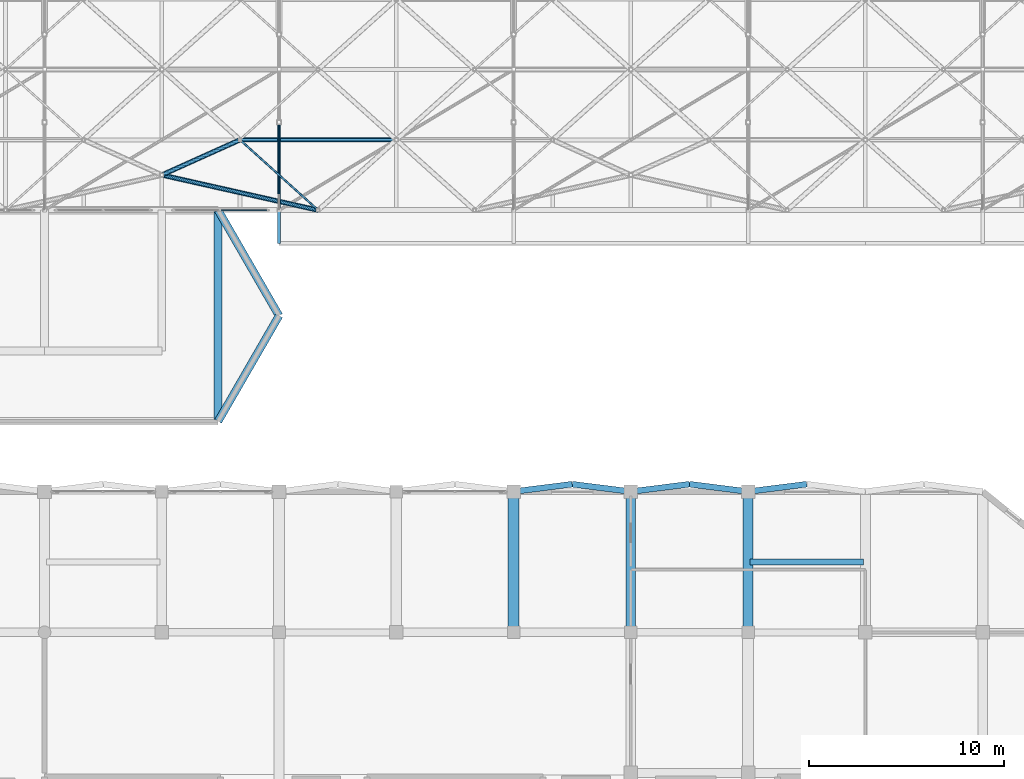
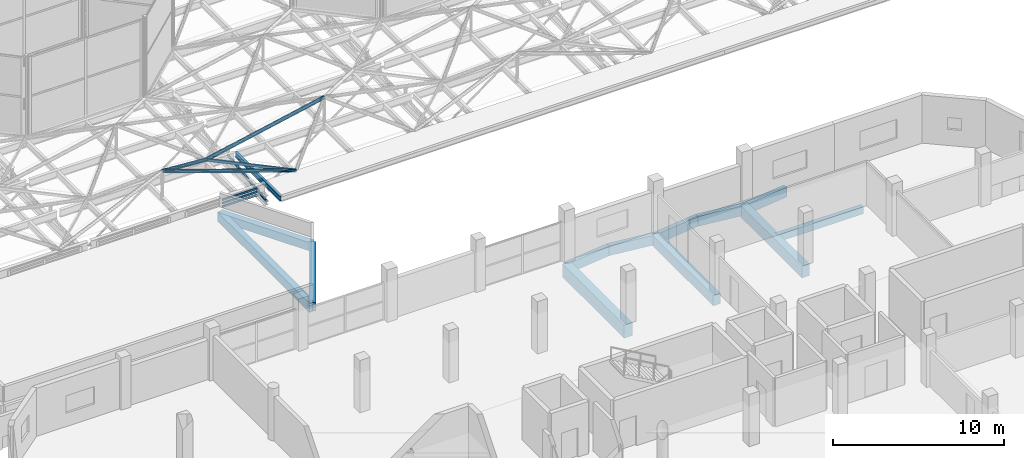
# One storey, part 17 of 239: 14 beams, 7 members, 1 element without a shape of its own.
"""IFC4 building model written with IfcOpenShell, lengths in metres."""

import ifcopenshell
import ifcopenshell.guid

model = None  # the IFC model being written
_history = None  # IfcOwnerHistory: only IFC2X3 demands one
_inside = {}  # id of a spatial element -> (the spatial element, [elements in it])
_under = {}  # id of a project, library or spatial element -> (it, [spatial elements below it])
_declared = {}  # id of a project -> (the project, [libraries it declares])
_typed = {}  # id of a type object -> (the type object, [elements of that type])
_made_of = {}  # id of a material, layer set ... -> (it, [elements and type objects made of it])


def new_model(schema):
    """Start an empty IFC model of exactly this schema.

    Asked for "IFC4X3", IfcOpenShell would pick the latest addendum, in which some entities
    have other attributes; the version numbers below select the first issue.
    IFC2X3 requires an IfcOwnerHistory on every rooted entity: one is made here for all.
    """
    global model, _history
    if schema == "IFC4X3":
        model = ifcopenshell.file(schema_version=(4, 3, 0, 0))
    else:
        model = ifcopenshell.file(schema=schema)
    _inside.clear()
    _under.clear()
    _declared.clear()
    _typed.clear()
    _made_of.clear()
    _history = None
    if model.schema == "IFC2X3":
        org = make("IfcOrganization", Name="unknown")
        user = make(
            "IfcPersonAndOrganization",
            ThePerson=make("IfcPerson", FamilyName="unknown"),
            TheOrganization=org,
        )
        app = make(
            "IfcApplication",
            ApplicationDeveloper=org,
            Version="unknown",
            ApplicationFullName="unknown",
            ApplicationIdentifier="unknown",
        )
        _history = make(
            "IfcOwnerHistory",
            OwningUser=user,
            OwningApplication=app,
            ChangeAction="ADDED",
            CreationDate=0,
        )
    return model


def make(cls, **values):
    """One entity of the class cls with the attributes given. An attribute that is None is left unset."""
    return model.create_entity(
        cls, **{name: value for name, value in values.items() if value is not None}
    )


def rooted(cls, **values):
    """An entity with a GlobalId (a new one), such as an element, a storey or a relation."""
    return make(cls, GlobalId=ifcopenshell.guid.new(), OwnerHistory=_history, **values)


def si_unit(unit_type, name, prefix=None):
    """IfcSIUnit, for example si_unit("LENGTHUNIT", "METRE", prefix="MILLI")."""
    return make("IfcSIUnit", UnitType=unit_type, Prefix=prefix, Name=name)


def assignment(units):
    """IfcUnitAssignment: the units of a project."""
    return None if units is None else make("IfcUnitAssignment", Units=units)


def point(xyz):
    """IfcCartesianPoint."""
    return None if xyz is None else make("IfcCartesianPoint", Coordinates=xyz)


def direction(xyz):
    """IfcDirection."""
    return None if xyz is None else make("IfcDirection", DirectionRatios=xyz)


def frame(location, z_axis=None, x_axis=None):
    """IfcAxis2Placement3D, a coordinate frame: its origin and axes. An axis left out is left unset."""
    return make(
        "IfcAxis2Placement3D",
        Location=point(location),
        Axis=direction(z_axis),
        RefDirection=direction(x_axis),
    )


def frame_2d(location, x_axis=None):
    """IfcAxis2Placement2D, a coordinate frame in the plane: its origin and x axis."""
    return make(
        "IfcAxis2Placement2D", Location=point(location), RefDirection=direction(x_axis)
    )


def origin():
    """The frame at (0, 0, 0) with its axes left unset."""
    return frame((0.0, 0.0, 0.0))


def origin_2d():
    """The frame at (0, 0) in the plane with its x axis left unset."""
    return frame_2d((0.0, 0.0))


def place(relative_to, where):
    """IfcLocalPlacement: puts the frame where relative to a parent placement (None: the world)."""
    return make(
        "IfcLocalPlacement", PlacementRelTo=relative_to, RelativePlacement=where
    )


def context(
    kind, dimensions, precision=None, world=None, true_north=None, identifier=None
):
    """IfcGeometricRepresentationContext, for example the 3D "Model" context."""
    return make(
        "IfcGeometricRepresentationContext",
        ContextIdentifier=identifier,
        ContextType=kind,
        CoordinateSpaceDimension=dimensions,
        Precision=precision,
        WorldCoordinateSystem=world,
        TrueNorth=true_north,
    )


def subcontext(parent, identifier, kind, view, scale=None):
    """IfcGeometricRepresentationSubContext, for example "Body" below "Model"."""
    return make(
        "IfcGeometricRepresentationSubContext",
        ContextIdentifier=identifier,
        ContextType=kind,
        ParentContext=parent,
        TargetScale=scale,
        TargetView=view,
    )


def project(units=None, contexts=None):
    """IfcProject with its units and contexts."""
    return rooted(
        "IfcProject",
        Name="project",
        RepresentationContexts=contexts,
        UnitsInContext=assignment(units),
    )


def spatial(cls, under=None, at=None, **own):
    """A site, building, storey or space (cls), placed at a placement, below another one or the project."""
    s = rooted(cls, ObjectPlacement=at, **own)
    if under is not None:
        _under.setdefault(under.id(), (under, []))[1].append(s)
    return s


def profile(cls, at=None, kind="AREA", **sizes):
    """A parametric profile (cls). Its sizes go by their IFC names, for example OverallWidth=200.0."""
    return make(cls, ProfileType=kind, Position=at, **sizes)


def rectangle(**sizes):
    """IfcRectangleProfileDef."""
    return profile("IfcRectangleProfileDef", **sizes)


def hollow_rectangle(**sizes):
    """IfcRectangleHollowProfileDef."""
    return profile("IfcRectangleHollowProfileDef", **sizes)


def hollow_circle(**sizes):
    """IfcCircleHollowProfileDef."""
    return profile("IfcCircleHollowProfileDef", **sizes)


def i_section(**sizes):
    """IfcIShapeProfileDef."""
    return profile("IfcIShapeProfileDef", **sizes)


def extrude(swept, where, along, depth):
    """IfcExtrudedAreaSolid: the profile swept, set in the frame where, extruded along a direction by depth."""
    return make(
        "IfcExtrudedAreaSolid",
        SweptArea=swept,
        Position=where,
        ExtrudedDirection=direction(along),
        Depth=depth,
    )


def shape(context_of_items, identifier, shape_type, items):
    """IfcShapeRepresentation: the items that make up one representation, for example the "Body"."""
    return make(
        "IfcShapeRepresentation",
        ContextOfItems=context_of_items,
        RepresentationIdentifier=identifier,
        RepresentationType=shape_type,
        Items=items,
    )


def material(Name=None, Category=None):
    """IfcMaterial."""
    return make("IfcMaterial", Name=Name, Category=Category)


def layer(
    of_material, thickness, ventilated=None, Name=None, Category=None, Priority=None
):
    """IfcMaterialLayer: one layer of a wall or slab, of a material (None: an air gap)."""
    return make(
        "IfcMaterialLayer",
        Material=of_material,
        LayerThickness=thickness,
        IsVentilated=ventilated,
        Name=Name,
        Category=Category,
        Priority=Priority,
    )


def layer_set(layers, Name=None):
    """IfcMaterialLayerSet."""
    return make("IfcMaterialLayerSet", MaterialLayers=layers, LayerSetName=Name)


def material_profile(
    of_material, cross_section, Name=None, Category=None, Priority=None
):
    """IfcMaterialProfile: a cross section and its material."""
    return make(
        "IfcMaterialProfile",
        Name=Name,
        Material=of_material,
        Profile=cross_section,
        Priority=Priority,
        Category=Category,
    )


def profile_set(profiles, Name=None, composite=None):
    """IfcMaterialProfileSet."""
    return make(
        "IfcMaterialProfileSet",
        Name=Name,
        MaterialProfiles=profiles,
        CompositeProfile=composite,
    )


def made_of(thing, what):
    """Note that an element or type object is made of a material, layer set ...; save() writes the relation."""
    if what is not None:
        _made_of.setdefault(what.id(), (what, []))[1].append(thing)
    return thing


def type_object(cls, material=None, **own):
    """A type object (cls), such as IfcWallType, which elements share."""
    return made_of(rooted(cls, **own), material)


def element(
    cls,
    number,
    at=None,
    inside=None,
    cuts=None,
    type_object=None,
    material=None,
    context=None,
    identifier="Body",
    shape_type=None,
    held_by="IfcProductDefinitionShape",
    body=None,
    shapes=None,
    **own,
):
    """One element of the class cls, such as IfcWall. Its Tag is "e" and its number.

    at: its placement. inside: the storey or other place that contains it. cuts: it is an
    opening in that element (IfcRelVoidsElement). A single representation is given by context,
    identifier, shape_type and body (its items); several are given by shapes. held_by: the class
    of the entity that holds the representations. save() writes the other relations.
    """
    e = rooted(cls, Tag="e%d" % number, ObjectPlacement=at, **own)
    if body is not None:
        shapes = [shape(context, identifier, shape_type, body)]
    if shapes is not None:
        e.Representation = make(held_by, Representations=shapes)
    if inside is not None:
        _inside.setdefault(inside.id(), (inside, []))[1].append(e)
    if cuts is not None:
        rooted(
            "IfcRelVoidsElement", RelatingBuildingElement=cuts, RelatedOpeningElement=e
        )
    if type_object is not None:
        _typed.setdefault(type_object.id(), (type_object, []))[1].append(e)
    return made_of(e, material)


def aggregate(whole, parts):
    """IfcRelAggregates: a whole, such as a stair, and the parts it consists of."""
    return rooted("IfcRelAggregates", RelatingObject=whole, RelatedObjects=parts)


def save(model, path):
    """Write the relations noted so far, then the file.

    IfcRelAggregates (storeys below a building ...), IfcRelContainedInSpatialStructure (elements
    in a storey), IfcRelDefinesByType, IfcRelAssociatesMaterial and IfcRelDeclares: one each for
    every whole, place, type object, material and project.
    """
    for whole, parts in _under.values():
        aggregate(whole, parts)
    for where, things in _inside.values():
        rooted(
            "IfcRelContainedInSpatialStructure",
            RelatedElements=things,
            RelatingStructure=where,
        )
    for kind, things in _typed.values():
        rooted("IfcRelDefinesByType", RelatedObjects=things, RelatingType=kind)
    for what, things in _made_of.values():
        rooted("IfcRelAssociatesMaterial", RelatedObjects=things, RelatingMaterial=what)
    for by, libraries in _declared.values():
        rooted("IfcRelDeclares", RelatingContext=by, RelatedDefinitions=libraries)
    model.write(path)


model = new_model("IFC4")

# Units and contexts
model_context = context("Model", 3, precision=1e-05, world=origin(), true_north=direction((0.0, 1.0)))
body_context = subcontext(model_context, "Body", "Model", "MODEL_VIEW")
ifc_project = project(units=[si_unit("LENGTHUNIT", "METRE"), si_unit("AREAUNIT", "SQUARE_METRE"), si_unit("VOLUMEUNIT", "CUBIC_METRE"), si_unit("PLANEANGLEUNIT", "RADIAN"), si_unit("MASSUNIT", "GRAM", prefix="KILO")], contexts=[model_context])

# Site, building, storey
site_placement = place(None, origin())
site = spatial("IfcSite", under=ifc_project, at=site_placement, CompositionType="ELEMENT")
building_placement = place(site_placement, origin())
building = spatial("IfcBuilding", under=site, at=building_placement, Name="Dunvalen Ferry Terminal", CompositionType="ELEMENT")
storey_placement = place(building_placement, frame((0.0, 0.0, 9.840087890625)))
storey = spatial("IfcBuildingStorey", under=building, at=storey_placement, Name="L02", CompositionType="ELEMENT", Elevation=9.840087890625)

# Curtain wall, members
ifc_material_1 = material(Name="Anodised marine aluminium and solar-control glazing", Category="aluminium")
ifc_layer = layer(ifc_material_1, 0.219970703125, Name="Anodised marine aluminium and solar-control glazing")
ifc_layer_set = layer_set([ifc_layer], Name="Anodised marine aluminium and solar-control glazing")
curtain_wall_type = type_object("IfcCurtainWallType", Name="ENV-CW-SYS-02", PredefinedType="NOTDEFINED", material=ifc_layer_set)
curtain_wall_placement = place(storey_placement, origin())
curtain_wall = element("IfcCurtainWall", 1, at=curtain_wall_placement, inside=storey, type_object=curtain_wall_type, Name="L02 Curtain Wall CW-V1SW-CLR-04", PredefinedType="NOTDEFINED")
ifc_material_2 = material(Name="Anodised marine aluminium EN AW-6063 T6", Category="aluminium")
ifc_material_profile_1 = material_profile(ifc_material_2, hollow_rectangle(XDim=0.06005859375, YDim=0.135009765625, WallThickness=0.003173828125, InnerFilletRadius=0.003173828125, OuterFilletRadius=0.00634765625, at=origin_2d()), Name="Anodised marine aluminium EN AW-6063 T6")
ifc_profile_set_1 = profile_set([ifc_material_profile_1], Name="Anodised marine aluminium EN AW-6063 T6")
member_type_1 = type_object("IfcMemberType", Name="ENV-CW-TRN-2", PredefinedType="USERDEFINED", material=ifc_profile_set_1)
member_1_placement = place(storey_placement, frame((33.030029296875, 50.39990234375, 0.27001953125), z_axis=(1.0, 0.0, 0.0), x_axis=(0.0, 1.0, 0.0)))
member_1 = element("IfcMember", 2, at=member_1_placement, type_object=member_type_1, Name="CW-02 transom 2.1", ObjectType="TRANSOM", PredefinedType="USERDEFINED", context=body_context, shape_type="SweptSolid", body=[
    extrude(hollow_rectangle(XDim=0.06005859375, YDim=0.135009765625, WallThickness=0.003173828125, InnerFilletRadius=0.003173828125, OuterFilletRadius=0.00634765625, at=origin_2d()), origin(), (0.0, 0.0, 1.0), 2.349853515625),
])
member_2_placement = place(storey_placement, frame((33.030029296875, 50.39990234375, 0.510009765625), z_axis=(1.0, 0.0, 0.0), x_axis=(0.0, 1.0, 0.0)))
member_2 = element("IfcMember", 3, at=member_2_placement, type_object=member_type_1, Name="CW-02 transom 2.2", ObjectType="TRANSOM", PredefinedType="USERDEFINED", context=body_context, shape_type="SweptSolid", body=[
    extrude(hollow_rectangle(XDim=0.06005859375, YDim=0.135009765625, WallThickness=0.003173828125, InnerFilletRadius=0.003173828125, OuterFilletRadius=0.00634765625, at=origin_2d()), origin(), (0.0, 0.0, 1.0), 2.349853515625),
])
member_3_placement = place(storey_placement, frame((33.030029296875, 50.39990234375, 0.75), z_axis=(1.0, 0.0, 0.0), x_axis=(0.0, 1.0, 0.0)))
member_3 = element("IfcMember", 4, at=member_3_placement, type_object=member_type_1, Name="CW-02 transom 2.3", ObjectType="TRANSOM", PredefinedType="USERDEFINED", context=body_context, shape_type="SweptSolid", body=[
    extrude(hollow_rectangle(XDim=0.06005859375, YDim=0.135009765625, WallThickness=0.003173828125, InnerFilletRadius=0.003173828125, OuterFilletRadius=0.00634765625, at=origin_2d()), origin(), (0.0, 0.0, 1.0), 2.349853515625),
])
aggregate(curtain_wall, [member_1, member_2, member_3])

# Beams
ifc_material_3 = material(Name="Steel S355", Category="steel")
ifc_material_profile_2 = material_profile(ifc_material_3, i_section(OverallWidth=0.169921875, OverallDepth=0.360107421875, WebThickness=0.008056640625, FlangeThickness=0.0126953125, FilletRadius=0.01806640625, at=origin_2d()), Name="Steel S355")
ifc_profile_set_2 = profile_set([ifc_material_profile_2], Name="Steel S355")
beam_type_1 = type_object("IfcBeamType", Name="STR-BM-IPE360", PredefinedType="BEAM", material=ifc_profile_set_2)
beam_1_placement = place(storey_placement, frame((36.0, 54.0, 0.81982421875), z_axis=(0.0, -1.0, 0.0), x_axis=(1.0, 0.0, 0.0)))
element("IfcBeam", 5, at=beam_1_placement, inside=storey, type_object=beam_type_1, Name="Departure Hall South Eave Outrigger 05", PredefinedType="BEAM", context=body_context, shape_type="SweptSolid", body=[
    extrude(i_section(OverallWidth=0.169921875, OverallDepth=0.360107421875, WebThickness=0.008056640625, FlangeThickness=0.0126953125, FilletRadius=0.01806640625, at=origin_2d()), origin(), (0.0, 0.0, 1.0), 5.300048828125),
])
ifc_material_4 = material(Name="Concrete C35/45", Category="concrete")
ifc_material_profile_3 = material_profile(ifc_material_4, rectangle(XDim=0.300048828125, YDim=0.5, at=origin_2d()), Name="Concrete C35/45")
ifc_profile_set_3 = profile_set([ifc_material_profile_3], Name="Concrete C35/45")
beam_type_2 = type_object("IfcBeamType", Name="STR-BM-RCB500", PredefinedType="JOIST", material=ifc_profile_set_3)
beam_2_placement = place(storey_placement, frame((60.10009765625, 32.39990234375, -0.510009765625), z_axis=(1.0, 0.0, 0.0), x_axis=(0.0, 1.0, 0.0)))
element("IfcBeam", 6, at=beam_2_placement, inside=storey, type_object=beam_type_2, Name="L02 V5P0 Secondary Joist 005", PredefinedType="JOIST", context=body_context, shape_type="SweptSolid", body=[
    extrude(rectangle(XDim=0.300048828125, YDim=0.5, at=origin_2d()), origin(), (0.0, 0.0, 1.0), 5.7998046875),
])
ifc_material_profile_4 = material_profile(ifc_material_4, rectangle(XDim=0.39990234375, YDim=0.60009765625, at=origin_2d()), Name="Concrete C35/45")
ifc_profile_set_4 = profile_set([ifc_material_profile_4], Name="Concrete C35/45")
beam_type_3 = type_object("IfcBeamType", Name="STR-BM-RCB600", PredefinedType="BEAM", material=ifc_profile_set_4)
for number, where, z_axis, x_axis, name in (
    (7, (32.882080078125, 39.60009765625, -0.300048828125), (0.500034261589, 0.866005621943, 0.0), (-0.866005621943, 0.500034261589, 0.0), "L02 South-West Security Annex Ring Beam 02"),
    (8, (36.0, 45.0, -0.300048828125), (-0.500034261589, 0.866005621943, 0.0), (-0.866005621943, -0.500034261589, 0.0), "L02 South-West Security Annex Ring Beam 03"),
):
    element("IfcBeam", number, at=place(storey_placement, frame(where, z_axis=z_axis, x_axis=x_axis)), inside=storey, type_object=beam_type_3, Name=name, PredefinedType="BEAM", context=body_context, shape_type="SweptSolid", body=[
        extrude(rectangle(XDim=0.39990234375, YDim=0.60009765625, at=origin_2d()), origin(), (0.0, 0.0, 1.0), 6.2353515625),
    ])
ifc_material_5 = material(Name="Concrete C40/50", Category="concrete")
ifc_material_profile_5 = material_profile(ifc_material_5, rectangle(XDim=0.39990234375, YDim=0.64990234375, at=origin_2d()), Name="Concrete C40/50")
ifc_profile_set_5 = profile_set([ifc_material_profile_5], Name="Concrete C40/50")
beam_type_4 = type_object("IfcBeamType", Name="STR-BM-RCB650", PredefinedType="BEAM", material=ifc_profile_set_5)
beam_3_placement = place(storey_placement, frame((32.882080078125, 39.60009765625, -0.3251953125), z_axis=(0.0, 1.0, 0.0), x_axis=(-1.0, 0.0, 0.0)))
element("IfcBeam", 9, at=beam_3_placement, inside=storey, type_object=beam_type_4, Name="L02 V1ASW Primary Girder Y-013", PredefinedType="BEAM", context=body_context, shape_type="SweptSolid", body=[
    extrude(rectangle(XDim=0.39990234375, YDim=0.64990234375, at=origin_2d()), origin(), (0.0, 0.0, 1.0), 10.7998046875),
])
ifc_material_profile_6 = material_profile(ifc_material_5, rectangle(XDim=0.5, YDim=0.75, at=origin_2d()), Name="Concrete C40/50")
ifc_profile_set_6 = profile_set([ifc_material_profile_6], Name="Concrete C40/50")
beam_type_5 = type_object("IfcBeamType", Name="STR-BM-RCB750", PredefinedType="BEAM", material=ifc_profile_set_6)
beam_4_placement = place(storey_placement, frame((54.0, 28.800048828125, -0.635009765625), z_axis=(0.0, 1.0, 0.0), x_axis=(-1.0, 0.0, 0.0)))
element("IfcBeam", 10, at=beam_4_placement, inside=storey, type_object=beam_type_5, Name="L02 V5P0 Primary Girder Y-083", PredefinedType="BEAM", context=body_context, shape_type="SweptSolid", body=[
    extrude(rectangle(XDim=0.5, YDim=0.75, at=origin_2d()), origin(), (0.0, 0.0, 1.0), 7.199951171875),
])
ifc_material_profile_7 = material_profile(ifc_material_5, rectangle(XDim=0.5, YDim=0.85009765625, at=origin_2d()), Name="Concrete C40/50")
ifc_profile_set_7 = profile_set([ifc_material_profile_7], Name="Concrete C40/50")
beam_type_6 = type_object("IfcBeamType", Name="STR-BM-RCG850", PredefinedType="BEAM", material=ifc_profile_set_7)
beam_5_placement = place(storey_placement, frame((60.0, 28.800048828125, -0.68505859375), z_axis=(0.0, 1.0, 0.0), x_axis=(-1.0, 0.0, 0.0)))
element("IfcBeam", 11, at=beam_5_placement, inside=storey, type_object=beam_type_6, Name="L02 V5P0 Primary Girder Y-088", PredefinedType="BEAM", context=body_context, shape_type="SweptSolid", body=[
    extrude(rectangle(XDim=0.5, YDim=0.85009765625, at=origin_2d()), origin(), (0.0, 0.0, 1.0), 7.199951171875),
])
ifc_material_profile_8 = material_profile(ifc_material_5, rectangle(XDim=0.550048828125, YDim=0.949951171875, at=origin_2d()), Name="Concrete C40/50")
ifc_profile_set_8 = profile_set([ifc_material_profile_8], Name="Concrete C40/50")
beam_type_7 = type_object("IfcBeamType", Name="STR-BM-RCG950", PredefinedType="BEAM", material=ifc_profile_set_8)
beam_6_placement = place(storey_placement, frame((48.0, 28.800048828125, -0.735107421875), z_axis=(0.0, 1.0, 0.0), x_axis=(-1.0, 0.0, 0.0)))
element("IfcBeam", 12, at=beam_6_placement, inside=storey, type_object=beam_type_7, Name="L02 V5P0 Primary Girder Y-078", PredefinedType="BEAM", context=body_context, shape_type="SweptSolid", body=[
    extrude(rectangle(XDim=0.550048828125, YDim=0.949951171875, at=origin_2d()), origin(), (0.0, 0.0, 1.0), 7.199951171875),
])
ifc_material_profile_9 = material_profile(ifc_material_5, rectangle(XDim=0.300048828125, YDim=0.699951171875, at=origin_2d()), Name="Concrete C40/50")
ifc_profile_set_9 = profile_set([ifc_material_profile_9], Name="Concrete C40/50")
beam_type_8 = type_object("IfcBeamType", Name="STR-BM-RCSP700", PredefinedType="SPANDREL", material=ifc_profile_set_9)
for number, where, z_axis, x_axis, name in (
    (13, (48.0, 36.0, -0.610107421875), (0.992077869489, 0.12562444376, 0.0), (-0.12562444376, 0.992077869489, 0.0), "L02 Passage Pilaster Spandrel Tie 07.1"),
    (14, (51.0, 36.3798828125, -0.610107421875), (0.992077869489, -0.12562444376, 0.0), (0.12562444376, 0.992077869489, 0.0), "L02 Passage Pilaster Spandrel Tie 07.2"),
    (15, (54.0, 36.0, -0.610107421875), (0.992077869489, 0.12562444376, 0.0), (-0.12562444376, 0.992077869489, 0.0), "L02 Passage Pilaster Spandrel Tie 08.1"),
    (16, (57.0, 36.3798828125, -0.610107421875), (0.992077869489, -0.12562444376, 0.0), (0.12562444376, 0.992077869489, 0.0), "L02 Passage Pilaster Spandrel Tie 08.2"),
    (17, (60.0, 36.0, -0.610107421875), (0.992077869489, 0.12562444376, 0.0), (-0.12562444376, 0.992077869489, 0.0), "L02 Passage Pilaster Spandrel Tie 09.1"),
):
    element("IfcBeam", number, at=place(storey_placement, frame(where, z_axis=z_axis, x_axis=x_axis)), inside=storey, type_object=beam_type_8, Name=name, PredefinedType="SPANDREL", context=body_context, shape_type="SweptSolid", body=[
        extrude(rectangle(XDim=0.300048828125, YDim=0.699951171875, at=origin_2d()), origin(), (0.0, 0.0, 1.0), 3.02392578125),
    ])
ifc_material_profile_10 = material_profile(ifc_material_3, hollow_rectangle(XDim=0.10009765625, YDim=0.199951171875, WallThickness=0.008056640625, InnerFilletRadius=0.008056640625, OuterFilletRadius=0.01611328125, at=origin_2d()), Name="Steel S355")
ifc_profile_set_10 = profile_set([ifc_material_profile_10], Name="Steel S355")
beam_type_9 = type_object("IfcBeamType", Name="STR-BM-RHS200", PredefinedType="BEAM", material=ifc_profile_set_10)
beam_7_placement = place(storey_placement, frame((38.0, 50.39990234375, 1.099853515625), z_axis=(-0.743285123004, 0.668974757313, 0.0), x_axis=(-0.668974757313, -0.743285123004, 0.0)))
element("IfcBeam", 18, at=beam_7_placement, inside=storey, type_object=beam_type_9, Name="HEX-12 Hexagonal Rim Beam 2", PredefinedType="BEAM", context=body_context, shape_type="SweptSolid", body=[
    extrude(hollow_rectangle(XDim=0.10009765625, YDim=0.199951171875, WallThickness=0.008056640625, InnerFilletRadius=0.008056640625, OuterFilletRadius=0.01611328125, at=origin_2d()), origin(), (0.0, 0.0, 1.0), 5.381591796875),
])

# Members
ifc_material_profile_11 = material_profile(ifc_material_3, hollow_circle(Radius=0.084228515625, WallThickness=0.008056640625, at=origin_2d()), Name="Steel S355")
ifc_profile_set_11 = profile_set([ifc_material_profile_11], Name="Steel S355")
member_type_2 = type_object("IfcMemberType", Name="STR-MB-CHS168", PredefinedType="BRACE", material=ifc_profile_set_11)
member_4_placement = place(storey_placement, frame((36.0, 50.39990234375, -0.360107421875), z_axis=(0.0, 0.993166043245, 0.116709941931), x_axis=(-1.0, 0.0, 0.0)))
element("IfcMember", 19, at=member_4_placement, inside=storey, type_object=member_type_2, Name="Departure Hall Arch Web Diagonal 03.1", PredefinedType="BRACE", context=body_context, shape_type="SweptSolid", body=[
    extrude(hollow_circle(Radius=0.084228515625, WallThickness=0.008056640625, at=origin_2d()), origin(), (0.0, 0.0, 1.0), 4.531005859375),
])
ifc_material_profile_12 = material_profile(ifc_material_3, hollow_circle(Radius=0.122314453125, WallThickness=0.010009765625, at=origin_2d()), Name="Steel S355")
ifc_profile_set_12 = profile_set([ifc_material_profile_12], Name="Steel S355")
member_type_3 = type_object("IfcMemberType", Name="STR-MB-CHS244", PredefinedType="STRUT", material=ifc_profile_set_12)
member_5_placement = place(storey_placement, frame((38.0, 50.39990234375, 1.099853515625), z_axis=(-0.956097314692, 0.215127731361, 0.198992422064), x_axis=(-0.219517862832, -0.975608480846, 0.0)))
element("IfcMember", 20, at=member_5_placement, inside=storey, type_object=member_type_3, Name="HEX-12 Pyramid Hip Rafter 2", PredefinedType="STRUT", context=body_context, shape_type="SweptSolid", body=[
    extrude(hollow_circle(Radius=0.122314453125, WallThickness=0.010009765625, at=origin_2d()), origin(), (0.0, 0.0, 1.0), 8.367431640625),
])
member_6_placement = place(storey_placement, frame((34.0, 54.0, 1.099853515625), z_axis=(-0.852560097395, -0.383662451056, 0.354886466323), x_axis=(0.410373934525, -0.91191733938, 0.0)))
element("IfcMember", 21, at=member_6_placement, inside=storey, type_object=member_type_3, Name="HEX-12 Pyramid Hip Rafter 3", PredefinedType="STRUT", context=body_context, shape_type="SweptSolid", body=[
    extrude(hollow_circle(Radius=0.122314453125, WallThickness=0.010009765625, at=origin_2d()), origin(), (0.0, 0.0, 1.0), 4.691650390625),
])
member_7_placement = place(storey_placement, frame((34.0, 54.0, 1.099853515625), z_axis=(0.979020171275, 0.0, 0.203763353518), x_axis=(0.0, 1.0, 0.0)))
element("IfcMember", 22, at=member_7_placement, inside=storey, type_object=member_type_3, Name="HEX-18 Pyramid Hip Rafter 1", PredefinedType="STRUT", context=body_context, shape_type="SweptSolid", body=[
    extrude(hollow_circle(Radius=0.122314453125, WallThickness=0.010009765625, at=origin_2d()), origin(), (0.0, 0.0, 1.0), 8.17138671875),
])

save(model, "model.ifc")
